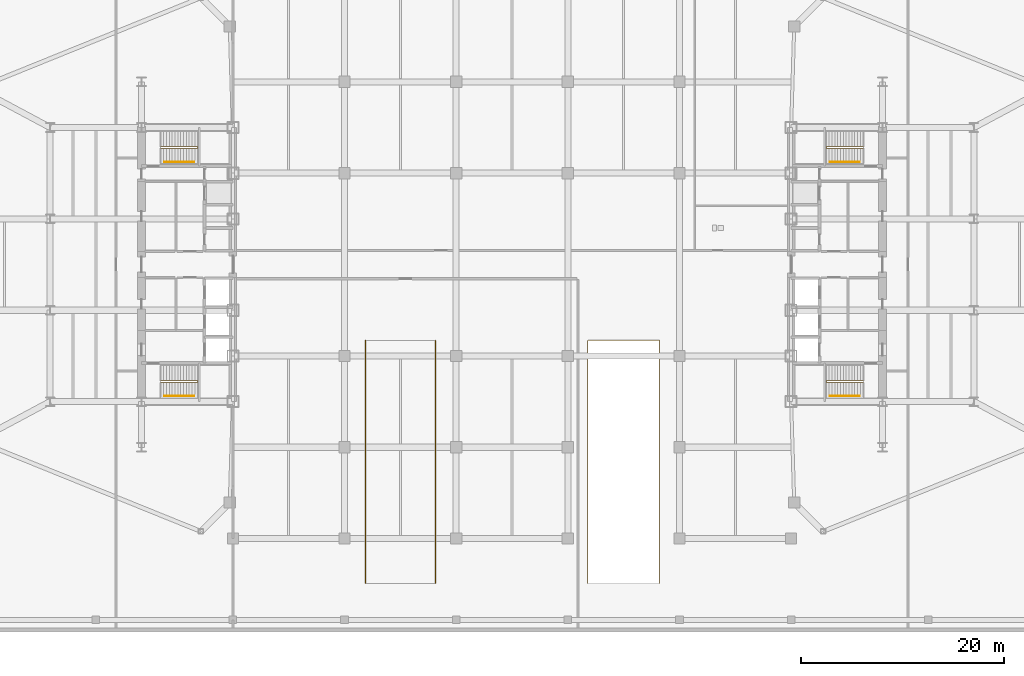
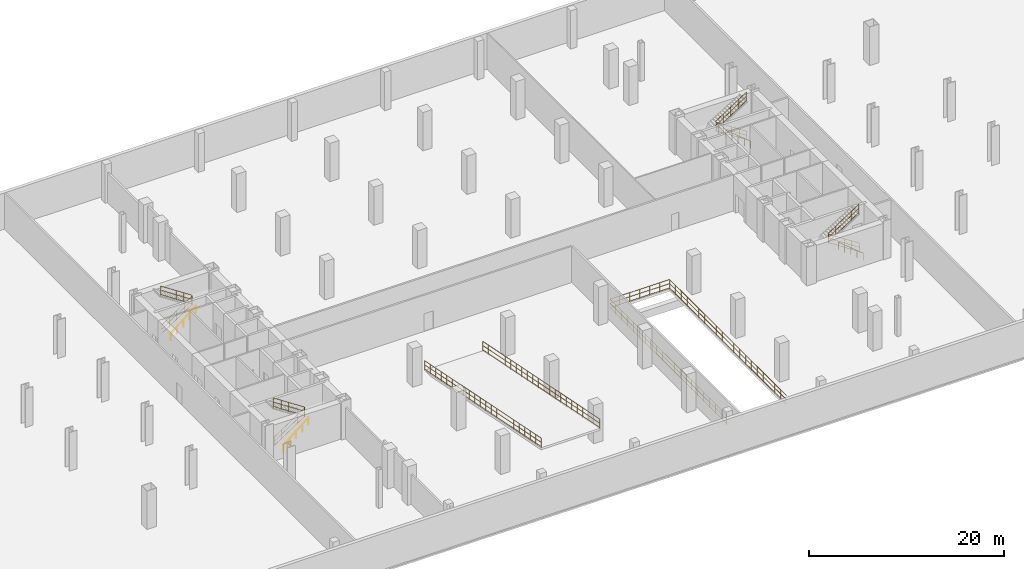
# One storey, part 16 of 18: 11 railings.
"""IFC4 building model written with IfcOpenShell, lengths in metres."""

from ifc_helpers import new_model, si_unit, direction, frame, origin, origin_2d, place, context, subcontext, project, spatial, circle, extrude, material, type_object, element, save


model = new_model("IFC4")

# Units and contexts
model_context = context("Model", 3, precision=1e-05, world=origin(), true_north=direction((0.0, 1.0)))
body_context = subcontext(model_context, "Body", "Model", "MODEL_VIEW")
ifc_project = project(units=[si_unit("LENGTHUNIT", "METRE"), si_unit("AREAUNIT", "SQUARE_METRE"), si_unit("VOLUMEUNIT", "CUBIC_METRE"), si_unit("PLANEANGLEUNIT", "RADIAN"), si_unit("MASSUNIT", "GRAM", prefix="KILO")], contexts=[model_context])

# Site, building, storey
site_placement = place(None, origin())
site = spatial("IfcSite", under=ifc_project, at=site_placement, CompositionType="ELEMENT")
building_placement = place(site_placement, origin())
building = spatial("IfcBuilding", under=site, at=building_placement, Name="Seokmaru Belvedere", CompositionType="ELEMENT")
storey_placement = place(building_placement, frame((0.0, 0.0, -4.800048828125)))
storey = spatial("IfcBuildingStorey", under=building, at=storey_placement, Name="B1", CompositionType="ELEMENT", Elevation=-4.800048828125)

# Railings
ifc_material = material(Name="Stainless Steel 316", Category="steel")
railing_type_1 = type_object("IfcRailingType", Name="Stainless Steel Wall and Flight Handrail 900", PredefinedType="HANDRAIL", material=ifc_material)
for number, where, name in (
    (1, (-34.25, -12.949951171875, 0.0), "B1 Stair ST-W1 Wall Handrail"),
    (2, (-34.25, 10.110107421875, 0.0), "B1 Stair ST-W2 Wall Handrail"),
):
    element("IfcRailing", number, at=place(storey_placement, frame(where)), inside=storey, type_object=railing_type_1, Name=name, PredefinedType="HANDRAIL", context=body_context, shape_type="SweptSolid", body=[
        extrude(circle(Radius=0.02392578125, at=origin_2d()), frame((0.0, 0.0, 0.8759765625), z_axis=(0.774636117937, 0.0, 0.63240721437), x_axis=(0.0, 1.0, 0.0)), (0.0, 0.0, 1.0), 3.795166015625),
        extrude(circle(Radius=0.02099609375, at=origin_2d()), origin(), (0.0, 0.0, 1.0), 0.851806640625),
        extrude(circle(Radius=0.02099609375, at=origin_2d()), frame((0.73486328125, 0.0, 0.60009765625)), (0.0, 0.0, 1.0), 0.851806640625),
        extrude(circle(Radius=0.02099609375, at=origin_2d()), frame((1.469970703125, 0.0, 1.2001953125)), (0.0, 0.0, 1.0), 0.851806640625),
        extrude(circle(Radius=0.02099609375, at=origin_2d()), frame((2.205078125, 0.0, 1.800048828125)), (0.0, 0.0, 1.0), 0.851806640625),
        extrude(circle(Radius=0.02099609375, at=origin_2d()), frame((2.93994140625, 0.0, 2.400146484375)), (0.0, 0.0, 1.0), 0.851806640625),
    ])
for number, where, name in (
    (3, (34.25, -12.949951171875, 0.0), "B1 Stair ST-E1 Wall Handrail"),
    (4, (34.25, 10.110107421875, 0.0), "B1 Stair ST-E2 Wall Handrail"),
):
    element("IfcRailing", number, at=place(storey_placement, frame(where)), inside=storey, type_object=railing_type_1, Name=name, PredefinedType="HANDRAIL", context=body_context, shape_type="SweptSolid", body=[
        extrude(circle(Radius=0.02392578125, at=origin_2d()), frame((0.0, 0.0, 0.8759765625), z_axis=(-0.774636117937, 0.0, 0.63240721437), x_axis=(0.0, -1.0, 0.0)), (0.0, 0.0, 1.0), 3.795166015625),
        extrude(circle(Radius=0.02099609375, at=origin_2d()), origin(), (0.0, 0.0, 1.0), 0.851806640625),
        extrude(circle(Radius=0.02099609375, at=origin_2d()), frame((-0.73486328125, 0.0, 0.60009765625)), (0.0, 0.0, 1.0), 0.851806640625),
        extrude(circle(Radius=0.02099609375, at=origin_2d()), frame((-1.469970703125, 0.0, 1.2001953125)), (0.0, 0.0, 1.0), 0.851806640625),
        extrude(circle(Radius=0.02099609375, at=origin_2d()), frame((-2.205078125, 0.0, 1.800048828125)), (0.0, 0.0, 1.0), 0.851806640625),
        extrude(circle(Radius=0.02099609375, at=origin_2d()), frame((-2.93994140625, 0.0, 2.400146484375)), (0.0, 0.0, 1.0), 0.851806640625),
    ])
railing_type_2 = type_object("IfcRailingType", Name="Stair Well and Atrium Steel Guardrail 1200", PredefinedType="GUARDRAIL", material=ifc_material)
railing_1_placement = place(storey_placement, frame((-34.60009765625, -11.60009765625, 0.0)))
element("IfcRailing", 5, at=railing_1_placement, inside=storey, type_object=railing_type_2, Name="B1 Stair ST-W1 Inner Well Guardrail", PredefinedType="GUARDRAIL", context=body_context, shape_type="SweptSolid", body=[
    extrude(circle(Radius=0.02392578125, at=origin_2d()), frame((0.0, 0.0, 1.17578125), z_axis=(0.834856447115, 0.0, 0.55046772177), x_axis=(0.0, 1.0, 0.0)), (0.0, 0.0, 1.0), 4.360107421875),
    extrude(circle(Radius=0.02392578125, at=origin_2d()), frame((0.0, 0.0, 0.1201171875), z_axis=(0.834856447115, 0.0, 0.55046772177), x_axis=(0.0, 1.0, 0.0)), (0.0, 0.0, 1.0), 4.360107421875),
    extrude(circle(Radius=0.02392578125, at=origin_2d()), frame((0.0, 0.0, 0.659912109375), z_axis=(0.834856447115, 0.0, 0.55046772177), x_axis=(0.0, 1.0, 0.0)), (0.0, 0.0, 1.0), 4.360107421875),
    extrude(circle(Radius=0.02392578125, at=origin_2d()), frame((3.64013671875, 0.0, 3.576171875), z_axis=(0.0, 1.0, 0.0), x_axis=(-1.0, 0.0, 0.0)), (0.0, 0.0, 1.0), 0.14013671875),
    extrude(circle(Radius=0.02392578125, at=origin_2d()), frame((3.64013671875, 0.0, 2.520263671875), z_axis=(0.0, 1.0, 0.0), x_axis=(-1.0, 0.0, 0.0)), (0.0, 0.0, 1.0), 0.14013671875),
    extrude(circle(Radius=0.02392578125, at=origin_2d()), frame((3.64013671875, 0.0, 3.06005859375), z_axis=(0.0, 1.0, 0.0), x_axis=(-1.0, 0.0, 0.0)), (0.0, 0.0, 1.0), 0.14013671875),
    extrude(circle(Radius=0.02392578125, at=origin_2d()), frame((3.64013671875, 0.14013671875, 3.576171875), z_axis=(-0.83488217925, 0.0, 0.55042869363), x_axis=(0.0, -1.0, 0.0)), (0.0, 0.0, 1.0), 4.360107421875),
    extrude(circle(Radius=0.02392578125, at=origin_2d()), frame((3.64013671875, 0.14013671875, 2.520263671875), z_axis=(-0.83488217925, 0.0, 0.55042869363), x_axis=(0.0, -1.0, 0.0)), (0.0, 0.0, 1.0), 4.360107421875),
    extrude(circle(Radius=0.02392578125, at=origin_2d()), frame((3.64013671875, 0.14013671875, 3.06005859375), z_axis=(-0.83488217925, 0.0, 0.55042869363), x_axis=(0.0, -1.0, 0.0)), (0.0, 0.0, 1.0), 4.360107421875),
    extrude(circle(Radius=0.02099609375, at=origin_2d()), origin(), (0.0, 0.0, 1.0), 1.15185546875),
    extrude(circle(Radius=0.02099609375, at=origin_2d()), frame((0.91015625, 0.0, 0.60009765625)), (0.0, 0.0, 1.0), 1.15185546875),
    extrude(circle(Radius=0.02099609375, at=origin_2d()), frame((1.820068359375, 0.0, 1.2001953125)), (0.0, 0.0, 1.0), 1.15185546875),
    extrude(circle(Radius=0.02099609375, at=origin_2d()), frame((2.72998046875, 0.0, 1.800048828125)), (0.0, 0.0, 1.0), 1.15185546875),
    extrude(circle(Radius=0.02099609375, at=origin_2d()), frame((3.64013671875, 0.0, 2.400146484375)), (0.0, 0.0, 1.0), 1.15185546875),
    extrude(circle(Radius=0.02099609375, at=origin_2d()), frame((3.64013671875, 0.14013671875, 2.400146484375)), (0.0, 0.0, 1.0), 1.15185546875),
    extrude(circle(Radius=0.02099609375, at=origin_2d()), frame((2.72998046875, 0.14013671875, 3.0)), (0.0, 0.0, 1.0), 1.15185546875),
    extrude(circle(Radius=0.02099609375, at=origin_2d()), frame((1.820068359375, 0.14013671875, 3.60009765625)), (0.0, 0.0, 1.0), 1.15185546875),
    extrude(circle(Radius=0.02099609375, at=origin_2d()), frame((0.91015625, 0.14013671875, 4.2001953125)), (0.0, 0.0, 1.0), 1.15185546875),
    extrude(circle(Radius=0.02099609375, at=origin_2d()), frame((0.0, 0.14013671875, 4.800048828125)), (0.0, 0.0, 1.0), 1.15185546875),
])
railing_2_placement = place(storey_placement, frame((-34.60009765625, 11.4599609375, 0.0)))
element("IfcRailing", 6, at=railing_2_placement, inside=storey, type_object=railing_type_2, Name="B1 Stair ST-W2 Inner Well Guardrail", PredefinedType="GUARDRAIL", context=body_context, shape_type="SweptSolid", body=[
    extrude(circle(Radius=0.02392578125, at=origin_2d()), frame((0.0, 0.0, 1.17578125), z_axis=(0.834856447115, 0.0, 0.55046772177), x_axis=(0.0, 1.0, 0.0)), (0.0, 0.0, 1.0), 4.360107421875),
    extrude(circle(Radius=0.02392578125, at=origin_2d()), frame((0.0, 0.0, 0.1201171875), z_axis=(0.834856447115, 0.0, 0.55046772177), x_axis=(0.0, 1.0, 0.0)), (0.0, 0.0, 1.0), 4.360107421875),
    extrude(circle(Radius=0.02392578125, at=origin_2d()), frame((0.0, 0.0, 0.659912109375), z_axis=(0.834856447115, 0.0, 0.55046772177), x_axis=(0.0, 1.0, 0.0)), (0.0, 0.0, 1.0), 4.360107421875),
    extrude(circle(Radius=0.02392578125, at=origin_2d()), frame((3.64013671875, 0.0, 3.576171875), z_axis=(0.0, 1.0, 0.0), x_axis=(-1.0, 0.0, 0.0)), (0.0, 0.0, 1.0), 0.14013671875),
    extrude(circle(Radius=0.02392578125, at=origin_2d()), frame((3.64013671875, 0.0, 2.520263671875), z_axis=(0.0, 1.0, 0.0), x_axis=(-1.0, 0.0, 0.0)), (0.0, 0.0, 1.0), 0.14013671875),
    extrude(circle(Radius=0.02392578125, at=origin_2d()), frame((3.64013671875, 0.0, 3.06005859375), z_axis=(0.0, 1.0, 0.0), x_axis=(-1.0, 0.0, 0.0)), (0.0, 0.0, 1.0), 0.14013671875),
    extrude(circle(Radius=0.02392578125, at=origin_2d()), frame((3.64013671875, 0.14013671875, 3.576171875), z_axis=(-0.83488217925, 0.0, 0.55042869363), x_axis=(0.0, -1.0, 0.0)), (0.0, 0.0, 1.0), 4.360107421875),
    extrude(circle(Radius=0.02392578125, at=origin_2d()), frame((3.64013671875, 0.14013671875, 2.520263671875), z_axis=(-0.83488217925, 0.0, 0.55042869363), x_axis=(0.0, -1.0, 0.0)), (0.0, 0.0, 1.0), 4.360107421875),
    extrude(circle(Radius=0.02392578125, at=origin_2d()), frame((3.64013671875, 0.14013671875, 3.06005859375), z_axis=(-0.83488217925, 0.0, 0.55042869363), x_axis=(0.0, -1.0, 0.0)), (0.0, 0.0, 1.0), 4.360107421875),
    extrude(circle(Radius=0.02099609375, at=origin_2d()), origin(), (0.0, 0.0, 1.0), 1.15185546875),
    extrude(circle(Radius=0.02099609375, at=origin_2d()), frame((0.91015625, 0.0, 0.60009765625)), (0.0, 0.0, 1.0), 1.15185546875),
    extrude(circle(Radius=0.02099609375, at=origin_2d()), frame((1.820068359375, 0.0, 1.2001953125)), (0.0, 0.0, 1.0), 1.15185546875),
    extrude(circle(Radius=0.02099609375, at=origin_2d()), frame((2.72998046875, 0.0, 1.800048828125)), (0.0, 0.0, 1.0), 1.15185546875),
    extrude(circle(Radius=0.02099609375, at=origin_2d()), frame((3.64013671875, 0.0, 2.400146484375)), (0.0, 0.0, 1.0), 1.15185546875),
    extrude(circle(Radius=0.02099609375, at=origin_2d()), frame((3.64013671875, 0.14013671875, 2.400146484375)), (0.0, 0.0, 1.0), 1.15185546875),
    extrude(circle(Radius=0.02099609375, at=origin_2d()), frame((2.72998046875, 0.14013671875, 3.0)), (0.0, 0.0, 1.0), 1.15185546875),
    extrude(circle(Radius=0.02099609375, at=origin_2d()), frame((1.820068359375, 0.14013671875, 3.60009765625)), (0.0, 0.0, 1.0), 1.15185546875),
    extrude(circle(Radius=0.02099609375, at=origin_2d()), frame((0.91015625, 0.14013671875, 4.2001953125)), (0.0, 0.0, 1.0), 1.15185546875),
    extrude(circle(Radius=0.02099609375, at=origin_2d()), frame((0.0, 0.14013671875, 4.800048828125)), (0.0, 0.0, 1.0), 1.15185546875),
])
railing_3_placement = place(storey_placement, frame((34.60009765625, -11.60009765625, 0.0)))
element("IfcRailing", 7, at=railing_3_placement, inside=storey, type_object=railing_type_2, Name="B1 Stair ST-E1 Inner Well Guardrail", PredefinedType="GUARDRAIL", context=body_context, shape_type="SweptSolid", body=[
    extrude(circle(Radius=0.02392578125, at=origin_2d()), frame((0.0, 0.0, 1.17578125), z_axis=(-0.834856447115, 0.0, 0.55046772177), x_axis=(0.0, -1.0, 0.0)), (0.0, 0.0, 1.0), 4.360107421875),
    extrude(circle(Radius=0.02392578125, at=origin_2d()), frame((0.0, 0.0, 0.1201171875), z_axis=(-0.834856447115, 0.0, 0.55046772177), x_axis=(0.0, -1.0, 0.0)), (0.0, 0.0, 1.0), 4.360107421875),
    extrude(circle(Radius=0.02392578125, at=origin_2d()), frame((0.0, 0.0, 0.659912109375), z_axis=(-0.834856447115, 0.0, 0.55046772177), x_axis=(0.0, -1.0, 0.0)), (0.0, 0.0, 1.0), 4.360107421875),
    extrude(circle(Radius=0.02392578125, at=origin_2d()), frame((-3.64013671875, 0.0, 3.576171875), z_axis=(0.0, 1.0, 0.0), x_axis=(-1.0, 0.0, 0.0)), (0.0, 0.0, 1.0), 0.14013671875),
    extrude(circle(Radius=0.02392578125, at=origin_2d()), frame((-3.64013671875, 0.0, 2.520263671875), z_axis=(0.0, 1.0, 0.0), x_axis=(-1.0, 0.0, 0.0)), (0.0, 0.0, 1.0), 0.14013671875),
    extrude(circle(Radius=0.02392578125, at=origin_2d()), frame((-3.64013671875, 0.0, 3.06005859375), z_axis=(0.0, 1.0, 0.0), x_axis=(-1.0, 0.0, 0.0)), (0.0, 0.0, 1.0), 0.14013671875),
    extrude(circle(Radius=0.02392578125, at=origin_2d()), frame((-3.64013671875, 0.14013671875, 3.576171875), z_axis=(0.83488217925, 0.0, 0.55042869363), x_axis=(0.0, 1.0, 0.0)), (0.0, 0.0, 1.0), 4.360107421875),
    extrude(circle(Radius=0.02392578125, at=origin_2d()), frame((-3.64013671875, 0.14013671875, 2.520263671875), z_axis=(0.83488217925, 0.0, 0.55042869363), x_axis=(0.0, 1.0, 0.0)), (0.0, 0.0, 1.0), 4.360107421875),
    extrude(circle(Radius=0.02392578125, at=origin_2d()), frame((-3.64013671875, 0.14013671875, 3.06005859375), z_axis=(0.83488217925, 0.0, 0.55042869363), x_axis=(0.0, 1.0, 0.0)), (0.0, 0.0, 1.0), 4.360107421875),
    extrude(circle(Radius=0.02099609375, at=origin_2d()), origin(), (0.0, 0.0, 1.0), 1.15185546875),
    extrude(circle(Radius=0.02099609375, at=origin_2d()), frame((-0.91015625, 0.0, 0.60009765625)), (0.0, 0.0, 1.0), 1.15185546875),
    extrude(circle(Radius=0.02099609375, at=origin_2d()), frame((-1.820068359375, 0.0, 1.2001953125)), (0.0, 0.0, 1.0), 1.15185546875),
    extrude(circle(Radius=0.02099609375, at=origin_2d()), frame((-2.72998046875, 0.0, 1.800048828125)), (0.0, 0.0, 1.0), 1.15185546875),
    extrude(circle(Radius=0.02099609375, at=origin_2d()), frame((-3.64013671875, 0.0, 2.400146484375)), (0.0, 0.0, 1.0), 1.15185546875),
    extrude(circle(Radius=0.02099609375, at=origin_2d()), frame((-3.64013671875, 0.14013671875, 2.400146484375)), (0.0, 0.0, 1.0), 1.15185546875),
    extrude(circle(Radius=0.02099609375, at=origin_2d()), frame((-2.72998046875, 0.14013671875, 3.0)), (0.0, 0.0, 1.0), 1.15185546875),
    extrude(circle(Radius=0.02099609375, at=origin_2d()), frame((-1.820068359375, 0.14013671875, 3.60009765625)), (0.0, 0.0, 1.0), 1.15185546875),
    extrude(circle(Radius=0.02099609375, at=origin_2d()), frame((-0.91015625, 0.14013671875, 4.2001953125)), (0.0, 0.0, 1.0), 1.15185546875),
    extrude(circle(Radius=0.02099609375, at=origin_2d()), frame((0.0, 0.14013671875, 4.800048828125)), (0.0, 0.0, 1.0), 1.15185546875),
])
railing_4_placement = place(storey_placement, frame((34.60009765625, 11.4599609375, 0.0)))
element("IfcRailing", 8, at=railing_4_placement, inside=storey, type_object=railing_type_2, Name="B1 Stair ST-E2 Inner Well Guardrail", PredefinedType="GUARDRAIL", context=body_context, shape_type="SweptSolid", body=[
    extrude(circle(Radius=0.02392578125, at=origin_2d()), frame((0.0, 0.0, 1.17578125), z_axis=(-0.834856447115, 0.0, 0.55046772177), x_axis=(0.0, -1.0, 0.0)), (0.0, 0.0, 1.0), 4.360107421875),
    extrude(circle(Radius=0.02392578125, at=origin_2d()), frame((0.0, 0.0, 0.1201171875), z_axis=(-0.834856447115, 0.0, 0.55046772177), x_axis=(0.0, -1.0, 0.0)), (0.0, 0.0, 1.0), 4.360107421875),
    extrude(circle(Radius=0.02392578125, at=origin_2d()), frame((0.0, 0.0, 0.659912109375), z_axis=(-0.834856447115, 0.0, 0.55046772177), x_axis=(0.0, -1.0, 0.0)), (0.0, 0.0, 1.0), 4.360107421875),
    extrude(circle(Radius=0.02392578125, at=origin_2d()), frame((-3.64013671875, 0.0, 3.576171875), z_axis=(0.0, 1.0, 0.0), x_axis=(-1.0, 0.0, 0.0)), (0.0, 0.0, 1.0), 0.14013671875),
    extrude(circle(Radius=0.02392578125, at=origin_2d()), frame((-3.64013671875, 0.0, 2.520263671875), z_axis=(0.0, 1.0, 0.0), x_axis=(-1.0, 0.0, 0.0)), (0.0, 0.0, 1.0), 0.14013671875),
    extrude(circle(Radius=0.02392578125, at=origin_2d()), frame((-3.64013671875, 0.0, 3.06005859375), z_axis=(0.0, 1.0, 0.0), x_axis=(-1.0, 0.0, 0.0)), (0.0, 0.0, 1.0), 0.14013671875),
    extrude(circle(Radius=0.02392578125, at=origin_2d()), frame((-3.64013671875, 0.14013671875, 3.576171875), z_axis=(0.83488217925, 0.0, 0.55042869363), x_axis=(0.0, 1.0, 0.0)), (0.0, 0.0, 1.0), 4.360107421875),
    extrude(circle(Radius=0.02392578125, at=origin_2d()), frame((-3.64013671875, 0.14013671875, 2.520263671875), z_axis=(0.83488217925, 0.0, 0.55042869363), x_axis=(0.0, 1.0, 0.0)), (0.0, 0.0, 1.0), 4.360107421875),
    extrude(circle(Radius=0.02392578125, at=origin_2d()), frame((-3.64013671875, 0.14013671875, 3.06005859375), z_axis=(0.83488217925, 0.0, 0.55042869363), x_axis=(0.0, 1.0, 0.0)), (0.0, 0.0, 1.0), 4.360107421875),
    extrude(circle(Radius=0.02099609375, at=origin_2d()), origin(), (0.0, 0.0, 1.0), 1.15185546875),
    extrude(circle(Radius=0.02099609375, at=origin_2d()), frame((-0.91015625, 0.0, 0.60009765625)), (0.0, 0.0, 1.0), 1.15185546875),
    extrude(circle(Radius=0.02099609375, at=origin_2d()), frame((-1.820068359375, 0.0, 1.2001953125)), (0.0, 0.0, 1.0), 1.15185546875),
    extrude(circle(Radius=0.02099609375, at=origin_2d()), frame((-2.72998046875, 0.0, 1.800048828125)), (0.0, 0.0, 1.0), 1.15185546875),
    extrude(circle(Radius=0.02099609375, at=origin_2d()), frame((-3.64013671875, 0.0, 2.400146484375)), (0.0, 0.0, 1.0), 1.15185546875),
    extrude(circle(Radius=0.02099609375, at=origin_2d()), frame((-3.64013671875, 0.14013671875, 2.400146484375)), (0.0, 0.0, 1.0), 1.15185546875),
    extrude(circle(Radius=0.02099609375, at=origin_2d()), frame((-2.72998046875, 0.14013671875, 3.0)), (0.0, 0.0, 1.0), 1.15185546875),
    extrude(circle(Radius=0.02099609375, at=origin_2d()), frame((-1.820068359375, 0.14013671875, 3.60009765625)), (0.0, 0.0, 1.0), 1.15185546875),
    extrude(circle(Radius=0.02099609375, at=origin_2d()), frame((-0.91015625, 0.14013671875, 4.2001953125)), (0.0, 0.0, 1.0), 1.15185546875),
    extrude(circle(Radius=0.02099609375, at=origin_2d()), frame((0.0, 0.14013671875, 4.800048828125)), (0.0, 0.0, 1.0), 1.15185546875),
])
railing_5_placement = place(storey_placement, frame((-14.43994140625, -7.5, 0.0)))
element("IfcRailing", 9, at=railing_5_placement, inside=storey, type_object=railing_type_2, Name="B1 Vehicle Ramp VR-02 Side Guardrail W", PredefinedType="GUARDRAIL", context=body_context, shape_type="SweptSolid", body=[
    extrude(circle(Radius=0.02392578125, at=origin_2d()), frame((0.0, 0.0, 1.17578125), z_axis=(0.0, -0.980422039947, 0.196907652434), x_axis=(1.0, 0.0, 0.0)), (0.0, 0.0, 1.0), 24.377197265625),
    extrude(circle(Radius=0.02392578125, at=origin_2d()), frame((0.0, 0.0, 0.1201171875), z_axis=(0.0, -0.980422039947, 0.196907652434), x_axis=(1.0, 0.0, 0.0)), (0.0, 0.0, 1.0), 24.377197265625),
    extrude(circle(Radius=0.02392578125, at=origin_2d()), frame((0.0, 0.0, 0.659912109375), z_axis=(0.0, -0.980422039947, 0.196907652434), x_axis=(1.0, 0.0, 0.0)), (0.0, 0.0, 1.0), 24.377197265625),
    extrude(circle(Radius=0.02099609375, at=origin_2d()), origin(), (0.0, 0.0, 1.0), 1.15185546875),
    extrude(circle(Radius=0.02099609375, at=origin_2d()), frame((0.0, -1.13818359375, 0.228515625)), (0.0, 0.0, 1.0), 1.15185546875),
    extrude(circle(Radius=0.02099609375, at=origin_2d()), frame((0.0, -2.276123046875, 0.45703125)), (0.0, 0.0, 1.0), 1.15185546875),
    extrude(circle(Radius=0.02099609375, at=origin_2d()), frame((0.0, -3.414306640625, 0.685791015625)), (0.0, 0.0, 1.0), 1.15185546875),
    extrude(circle(Radius=0.02099609375, at=origin_2d()), frame((0.0, -4.55224609375, 0.914306640625)), (0.0, 0.0, 1.0), 1.15185546875),
    extrude(circle(Radius=0.02099609375, at=origin_2d()), frame((0.0, -5.6904296875, 1.142822265625)), (0.0, 0.0, 1.0), 1.15185546875),
    extrude(circle(Radius=0.02099609375, at=origin_2d()), frame((0.0, -6.82861328125, 1.371337890625)), (0.0, 0.0, 1.0), 1.15185546875),
    extrude(circle(Radius=0.02099609375, at=origin_2d()), frame((0.0, -7.966552734375, 1.60009765625)), (0.0, 0.0, 1.0), 1.15185546875),
    extrude(circle(Radius=0.02099609375, at=origin_2d()), frame((0.0, -9.104736328125, 1.82861328125)), (0.0, 0.0, 1.0), 1.15185546875),
    extrude(circle(Radius=0.02099609375, at=origin_2d()), frame((0.0, -10.242919921875, 2.05712890625)), (0.0, 0.0, 1.0), 1.15185546875),
    extrude(circle(Radius=0.02099609375, at=origin_2d()), frame((0.0, -11.380859375, 2.28564453125)), (0.0, 0.0, 1.0), 1.15185546875),
    extrude(circle(Radius=0.02099609375, at=origin_2d()), frame((0.0, -12.51904296875, 2.514404296875)), (0.0, 0.0, 1.0), 1.15185546875),
    extrude(circle(Radius=0.02099609375, at=origin_2d()), frame((0.0, -13.656982421875, 2.742919921875)), (0.0, 0.0, 1.0), 1.15185546875),
    extrude(circle(Radius=0.02099609375, at=origin_2d()), frame((0.0, -14.795166015625, 2.971435546875)), (0.0, 0.0, 1.0), 1.15185546875),
    extrude(circle(Radius=0.02099609375, at=origin_2d()), frame((0.0, -15.933349609375, 3.199951171875)), (0.0, 0.0, 1.0), 1.15185546875),
    extrude(circle(Radius=0.02099609375, at=origin_2d()), frame((0.0, -17.0712890625, 3.4287109375)), (0.0, 0.0, 1.0), 1.15185546875),
    extrude(circle(Radius=0.02099609375, at=origin_2d()), frame((0.0, -18.20947265625, 3.6572265625)), (0.0, 0.0, 1.0), 1.15185546875),
    extrude(circle(Radius=0.02099609375, at=origin_2d()), frame((0.0, -19.34765625, 3.8857421875)), (0.0, 0.0, 1.0), 1.15185546875),
    extrude(circle(Radius=0.02099609375, at=origin_2d()), frame((0.0, -20.485595703125, 4.1142578125)), (0.0, 0.0, 1.0), 1.15185546875),
    extrude(circle(Radius=0.02099609375, at=origin_2d()), frame((0.0, -21.623779296875, 4.343017578125)), (0.0, 0.0, 1.0), 1.15185546875),
    extrude(circle(Radius=0.02099609375, at=origin_2d()), frame((0.0, -22.76171875, 4.571533203125)), (0.0, 0.0, 1.0), 1.15185546875),
    extrude(circle(Radius=0.02099609375, at=origin_2d()), frame((0.0, -23.89990234375, 4.800048828125)), (0.0, 0.0, 1.0), 1.15185546875),
])
railing_6_placement = place(storey_placement, frame((-7.56005859375, -7.5, 0.0)))
element("IfcRailing", 10, at=railing_6_placement, inside=storey, type_object=railing_type_2, Name="B1 Vehicle Ramp VR-02 Side Guardrail E", PredefinedType="GUARDRAIL", context=body_context, shape_type="SweptSolid", body=[
    extrude(circle(Radius=0.02392578125, at=origin_2d()), frame((0.0, 0.0, 1.17578125), z_axis=(0.0, -0.980422039947, 0.196907652434), x_axis=(1.0, 0.0, 0.0)), (0.0, 0.0, 1.0), 24.377197265625),
    extrude(circle(Radius=0.02392578125, at=origin_2d()), frame((0.0, 0.0, 0.1201171875), z_axis=(0.0, -0.980422039947, 0.196907652434), x_axis=(1.0, 0.0, 0.0)), (0.0, 0.0, 1.0), 24.377197265625),
    extrude(circle(Radius=0.02392578125, at=origin_2d()), frame((0.0, 0.0, 0.659912109375), z_axis=(0.0, -0.980422039947, 0.196907652434), x_axis=(1.0, 0.0, 0.0)), (0.0, 0.0, 1.0), 24.377197265625),
    extrude(circle(Radius=0.02099609375, at=origin_2d()), origin(), (0.0, 0.0, 1.0), 1.15185546875),
    extrude(circle(Radius=0.02099609375, at=origin_2d()), frame((0.0, -1.13818359375, 0.228515625)), (0.0, 0.0, 1.0), 1.15185546875),
    extrude(circle(Radius=0.02099609375, at=origin_2d()), frame((0.0, -2.276123046875, 0.45703125)), (0.0, 0.0, 1.0), 1.15185546875),
    extrude(circle(Radius=0.02099609375, at=origin_2d()), frame((0.0, -3.414306640625, 0.685791015625)), (0.0, 0.0, 1.0), 1.15185546875),
    extrude(circle(Radius=0.02099609375, at=origin_2d()), frame((0.0, -4.55224609375, 0.914306640625)), (0.0, 0.0, 1.0), 1.15185546875),
    extrude(circle(Radius=0.02099609375, at=origin_2d()), frame((0.0, -5.6904296875, 1.142822265625)), (0.0, 0.0, 1.0), 1.15185546875),
    extrude(circle(Radius=0.02099609375, at=origin_2d()), frame((0.0, -6.82861328125, 1.371337890625)), (0.0, 0.0, 1.0), 1.15185546875),
    extrude(circle(Radius=0.02099609375, at=origin_2d()), frame((0.0, -7.966552734375, 1.60009765625)), (0.0, 0.0, 1.0), 1.15185546875),
    extrude(circle(Radius=0.02099609375, at=origin_2d()), frame((0.0, -9.104736328125, 1.82861328125)), (0.0, 0.0, 1.0), 1.15185546875),
    extrude(circle(Radius=0.02099609375, at=origin_2d()), frame((0.0, -10.242919921875, 2.05712890625)), (0.0, 0.0, 1.0), 1.15185546875),
    extrude(circle(Radius=0.02099609375, at=origin_2d()), frame((0.0, -11.380859375, 2.28564453125)), (0.0, 0.0, 1.0), 1.15185546875),
    extrude(circle(Radius=0.02099609375, at=origin_2d()), frame((0.0, -12.51904296875, 2.514404296875)), (0.0, 0.0, 1.0), 1.15185546875),
    extrude(circle(Radius=0.02099609375, at=origin_2d()), frame((0.0, -13.656982421875, 2.742919921875)), (0.0, 0.0, 1.0), 1.15185546875),
    extrude(circle(Radius=0.02099609375, at=origin_2d()), frame((0.0, -14.795166015625, 2.971435546875)), (0.0, 0.0, 1.0), 1.15185546875),
    extrude(circle(Radius=0.02099609375, at=origin_2d()), frame((0.0, -15.933349609375, 3.199951171875)), (0.0, 0.0, 1.0), 1.15185546875),
    extrude(circle(Radius=0.02099609375, at=origin_2d()), frame((0.0, -17.0712890625, 3.4287109375)), (0.0, 0.0, 1.0), 1.15185546875),
    extrude(circle(Radius=0.02099609375, at=origin_2d()), frame((0.0, -18.20947265625, 3.6572265625)), (0.0, 0.0, 1.0), 1.15185546875),
    extrude(circle(Radius=0.02099609375, at=origin_2d()), frame((0.0, -19.34765625, 3.8857421875)), (0.0, 0.0, 1.0), 1.15185546875),
    extrude(circle(Radius=0.02099609375, at=origin_2d()), frame((0.0, -20.485595703125, 4.1142578125)), (0.0, 0.0, 1.0), 1.15185546875),
    extrude(circle(Radius=0.02099609375, at=origin_2d()), frame((0.0, -21.623779296875, 4.343017578125)), (0.0, 0.0, 1.0), 1.15185546875),
    extrude(circle(Radius=0.02099609375, at=origin_2d()), frame((0.0, -22.76171875, 4.571533203125)), (0.0, 0.0, 1.0), 1.15185546875),
    extrude(circle(Radius=0.02099609375, at=origin_2d()), frame((0.0, -23.89990234375, 4.800048828125)), (0.0, 0.0, 1.0), 1.15185546875),
])
railing_7_placement = place(storey_placement, frame((7.47998046875, -31.419921875, 0.0)))
element("IfcRailing", 11, at=railing_7_placement, inside=storey, type_object=railing_type_2, Name="B1 Vehicle Ramp Void Guardrail", PredefinedType="GUARDRAIL", context=body_context, shape_type="SweptSolid", body=[
    extrude(circle(Radius=0.02392578125, at=origin_2d()), frame((0.0, 0.0, 1.17578125), z_axis=(0.0, 1.0, 0.0), x_axis=(-1.0, 0.0, 0.0)), (0.0, 0.0, 1.0), 23.93994140625),
    extrude(circle(Radius=0.02392578125, at=origin_2d()), frame((0.0, 0.0, 0.1201171875), z_axis=(0.0, 1.0, 0.0), x_axis=(-1.0, 0.0, 0.0)), (0.0, 0.0, 1.0), 23.93994140625),
    extrude(circle(Radius=0.02392578125, at=origin_2d()), frame((0.0, 0.0, 0.659912109375), z_axis=(0.0, 1.0, 0.0), x_axis=(-1.0, 0.0, 0.0)), (0.0, 0.0, 1.0), 23.93994140625),
    extrude(circle(Radius=0.02392578125, at=origin_2d()), frame((0.0, 23.93994140625, 1.17578125), z_axis=(1.0, 0.0, 0.0), x_axis=(0.0, 1.0, 0.0)), (0.0, 0.0, 1.0), 7.0400390625),
    extrude(circle(Radius=0.02392578125, at=origin_2d()), frame((0.0, 23.93994140625, 0.1201171875), z_axis=(1.0, 0.0, 0.0), x_axis=(0.0, 1.0, 0.0)), (0.0, 0.0, 1.0), 7.0400390625),
    extrude(circle(Radius=0.02392578125, at=origin_2d()), frame((0.0, 23.93994140625, 0.659912109375), z_axis=(1.0, 0.0, 0.0), x_axis=(0.0, 1.0, 0.0)), (0.0, 0.0, 1.0), 7.0400390625),
    extrude(circle(Radius=0.02392578125, at=origin_2d()), frame((7.0400390625, 23.93994140625, 1.17578125), z_axis=(0.0, -1.0, 0.0), x_axis=(1.0, 0.0, 0.0)), (0.0, 0.0, 1.0), 23.93994140625),
    extrude(circle(Radius=0.02392578125, at=origin_2d()), frame((7.0400390625, 23.93994140625, 0.1201171875), z_axis=(0.0, -1.0, 0.0), x_axis=(1.0, 0.0, 0.0)), (0.0, 0.0, 1.0), 23.93994140625),
    extrude(circle(Radius=0.02392578125, at=origin_2d()), frame((7.0400390625, 23.93994140625, 0.659912109375), z_axis=(0.0, -1.0, 0.0), x_axis=(1.0, 0.0, 0.0)), (0.0, 0.0, 1.0), 23.93994140625),
    extrude(circle(Radius=0.02099609375, at=origin_2d()), origin(), (0.0, 0.0, 1.0), 1.15185546875),
    extrude(circle(Radius=0.02099609375, at=origin_2d()), frame((0.0, 1.197021484375, 0.0)), (0.0, 0.0, 1.0), 1.15185546875),
    extrude(circle(Radius=0.02099609375, at=origin_2d()), frame((0.0, 2.39404296875, 0.0)), (0.0, 0.0, 1.0), 1.15185546875),
    extrude(circle(Radius=0.02099609375, at=origin_2d()), frame((0.0, 3.591064453125, 0.0)), (0.0, 0.0, 1.0), 1.15185546875),
    extrude(circle(Radius=0.02099609375, at=origin_2d()), frame((0.0, 4.7880859375, 0.0)), (0.0, 0.0, 1.0), 1.15185546875),
    extrude(circle(Radius=0.02099609375, at=origin_2d()), frame((0.0, 5.98486328125, 0.0)), (0.0, 0.0, 1.0), 1.15185546875),
    extrude(circle(Radius=0.02099609375, at=origin_2d()), frame((0.0, 7.181884765625, 0.0)), (0.0, 0.0, 1.0), 1.15185546875),
    extrude(circle(Radius=0.02099609375, at=origin_2d()), frame((0.0, 8.37890625, 0.0)), (0.0, 0.0, 1.0), 1.15185546875),
    extrude(circle(Radius=0.02099609375, at=origin_2d()), frame((0.0, 9.575927734375, 0.0)), (0.0, 0.0, 1.0), 1.15185546875),
    extrude(circle(Radius=0.02099609375, at=origin_2d()), frame((0.0, 10.77294921875, 0.0)), (0.0, 0.0, 1.0), 1.15185546875),
    extrude(circle(Radius=0.02099609375, at=origin_2d()), frame((0.0, 11.969970703125, 0.0)), (0.0, 0.0, 1.0), 1.15185546875),
    extrude(circle(Radius=0.02099609375, at=origin_2d()), frame((0.0, 13.1669921875, 0.0)), (0.0, 0.0, 1.0), 1.15185546875),
    extrude(circle(Radius=0.02099609375, at=origin_2d()), frame((0.0, 14.364013671875, 0.0)), (0.0, 0.0, 1.0), 1.15185546875),
    extrude(circle(Radius=0.02099609375, at=origin_2d()), frame((0.0, 15.56103515625, 0.0)), (0.0, 0.0, 1.0), 1.15185546875),
    extrude(circle(Radius=0.02099609375, at=origin_2d()), frame((0.0, 16.758056640625, 0.0)), (0.0, 0.0, 1.0), 1.15185546875),
    extrude(circle(Radius=0.02099609375, at=origin_2d()), frame((0.0, 17.955078125, 0.0)), (0.0, 0.0, 1.0), 1.15185546875),
    extrude(circle(Radius=0.02099609375, at=origin_2d()), frame((0.0, 19.15185546875, 0.0)), (0.0, 0.0, 1.0), 1.15185546875),
    extrude(circle(Radius=0.02099609375, at=origin_2d()), frame((0.0, 20.348876953125, 0.0)), (0.0, 0.0, 1.0), 1.15185546875),
    extrude(circle(Radius=0.02099609375, at=origin_2d()), frame((0.0, 21.5458984375, 0.0)), (0.0, 0.0, 1.0), 1.15185546875),
    extrude(circle(Radius=0.02099609375, at=origin_2d()), frame((0.0, 22.742919921875, 0.0)), (0.0, 0.0, 1.0), 1.15185546875),
    extrude(circle(Radius=0.02099609375, at=origin_2d()), frame((0.0, 23.93994140625, 0.0)), (0.0, 0.0, 1.0), 1.15185546875),
    extrude(circle(Radius=0.02099609375, at=origin_2d()), frame((1.17333984375, 23.93994140625, 0.0)), (0.0, 0.0, 1.0), 1.15185546875),
    extrude(circle(Radius=0.02099609375, at=origin_2d()), frame((2.3466796875, 23.93994140625, 0.0)), (0.0, 0.0, 1.0), 1.15185546875),
    extrude(circle(Radius=0.02099609375, at=origin_2d()), frame((3.52001953125, 23.93994140625, 0.0)), (0.0, 0.0, 1.0), 1.15185546875),
    extrude(circle(Radius=0.02099609375, at=origin_2d()), frame((4.693359375, 23.93994140625, 0.0)), (0.0, 0.0, 1.0), 1.15185546875),
    extrude(circle(Radius=0.02099609375, at=origin_2d()), frame((5.86669921875, 23.93994140625, 0.0)), (0.0, 0.0, 1.0), 1.15185546875),
    extrude(circle(Radius=0.02099609375, at=origin_2d()), frame((7.0400390625, 23.93994140625, 0.0)), (0.0, 0.0, 1.0), 1.15185546875),
    extrude(circle(Radius=0.02099609375, at=origin_2d()), frame((7.0400390625, 22.742919921875, 0.0)), (0.0, 0.0, 1.0), 1.15185546875),
    extrude(circle(Radius=0.02099609375, at=origin_2d()), frame((7.0400390625, 21.5458984375, 0.0)), (0.0, 0.0, 1.0), 1.15185546875),
    extrude(circle(Radius=0.02099609375, at=origin_2d()), frame((7.0400390625, 20.348876953125, 0.0)), (0.0, 0.0, 1.0), 1.15185546875),
    extrude(circle(Radius=0.02099609375, at=origin_2d()), frame((7.0400390625, 19.15185546875, 0.0)), (0.0, 0.0, 1.0), 1.15185546875),
    extrude(circle(Radius=0.02099609375, at=origin_2d()), frame((7.0400390625, 17.955078125, 0.0)), (0.0, 0.0, 1.0), 1.15185546875),
    extrude(circle(Radius=0.02099609375, at=origin_2d()), frame((7.0400390625, 16.758056640625, 0.0)), (0.0, 0.0, 1.0), 1.15185546875),
    extrude(circle(Radius=0.02099609375, at=origin_2d()), frame((7.0400390625, 15.56103515625, 0.0)), (0.0, 0.0, 1.0), 1.15185546875),
    extrude(circle(Radius=0.02099609375, at=origin_2d()), frame((7.0400390625, 14.364013671875, 0.0)), (0.0, 0.0, 1.0), 1.15185546875),
    extrude(circle(Radius=0.02099609375, at=origin_2d()), frame((7.0400390625, 13.1669921875, 0.0)), (0.0, 0.0, 1.0), 1.15185546875),
    extrude(circle(Radius=0.02099609375, at=origin_2d()), frame((7.0400390625, 11.969970703125, 0.0)), (0.0, 0.0, 1.0), 1.15185546875),
    extrude(circle(Radius=0.02099609375, at=origin_2d()), frame((7.0400390625, 10.77294921875, 0.0)), (0.0, 0.0, 1.0), 1.15185546875),
    extrude(circle(Radius=0.02099609375, at=origin_2d()), frame((7.0400390625, 9.575927734375, 0.0)), (0.0, 0.0, 1.0), 1.15185546875),
    extrude(circle(Radius=0.02099609375, at=origin_2d()), frame((7.0400390625, 8.37890625, 0.0)), (0.0, 0.0, 1.0), 1.15185546875),
    extrude(circle(Radius=0.02099609375, at=origin_2d()), frame((7.0400390625, 7.181884765625, 0.0)), (0.0, 0.0, 1.0), 1.15185546875),
    extrude(circle(Radius=0.02099609375, at=origin_2d()), frame((7.0400390625, 5.98486328125, 0.0)), (0.0, 0.0, 1.0), 1.15185546875),
    extrude(circle(Radius=0.02099609375, at=origin_2d()), frame((7.0400390625, 4.7880859375, 0.0)), (0.0, 0.0, 1.0), 1.15185546875),
    extrude(circle(Radius=0.02099609375, at=origin_2d()), frame((7.0400390625, 3.591064453125, 0.0)), (0.0, 0.0, 1.0), 1.15185546875),
    extrude(circle(Radius=0.02099609375, at=origin_2d()), frame((7.0400390625, 2.39404296875, 0.0)), (0.0, 0.0, 1.0), 1.15185546875),
    extrude(circle(Radius=0.02099609375, at=origin_2d()), frame((7.0400390625, 1.197021484375, 0.0)), (0.0, 0.0, 1.0), 1.15185546875),
    extrude(circle(Radius=0.02099609375, at=origin_2d()), frame((7.0400390625, 0.0, 0.0)), (0.0, 0.0, 1.0), 1.15185546875),
])

save(model, "model.ifc")
